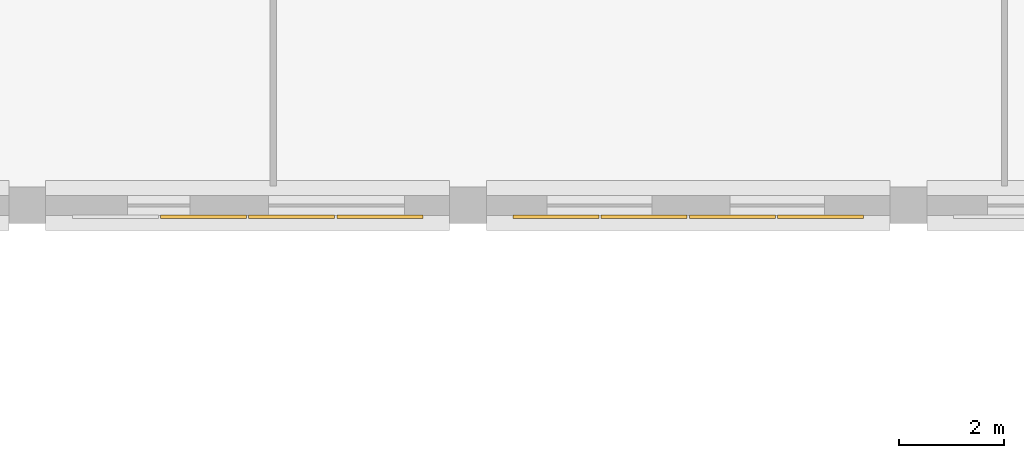
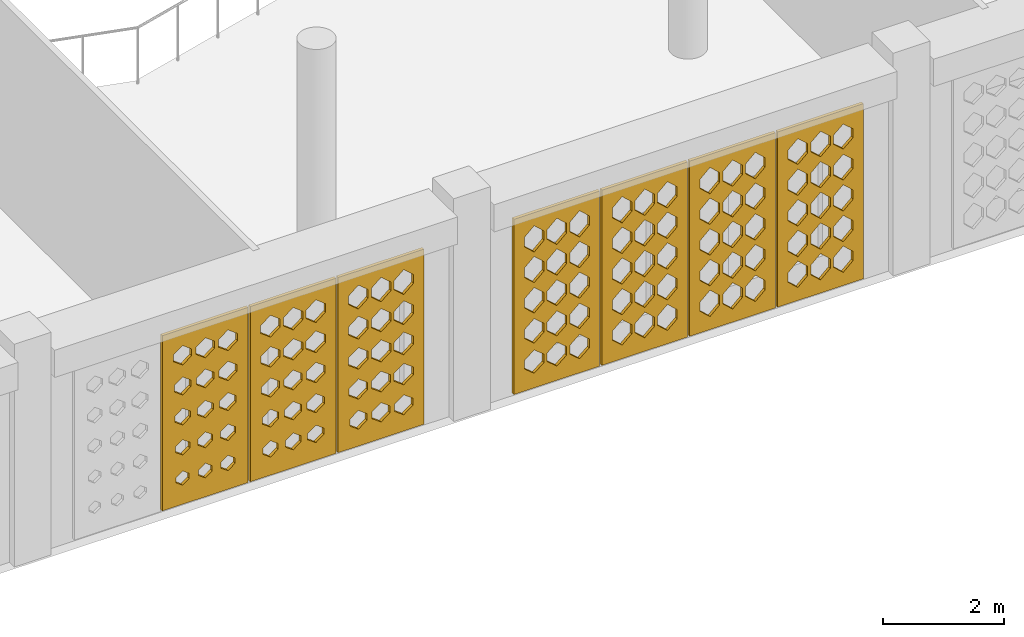
# One storey, part 35 of 47: 7 coverings.
"""IFC4 building model written with IfcOpenShell, lengths in metres."""

from ifc_helpers import new_model, si_unit, derived_unit, direction, frame, origin, place, context, subcontext, project, spatial, polyline, outline, extrude, material, layer, layer_set, type_object, element, save


model = new_model("IFC4")

# Units and contexts
model_context = context("Model", 3, precision=1e-05, world=origin(), true_north=direction((0.0, 1.0)))
body_context = subcontext(model_context, "Body", "Model", "MODEL_VIEW")
ifc_project = project(units=[si_unit("LENGTHUNIT", "METRE"), si_unit("AREAUNIT", "SQUARE_METRE"), si_unit("VOLUMEUNIT", "CUBIC_METRE"), si_unit("PLANEANGLEUNIT", "RADIAN"), si_unit("MASSUNIT", "GRAM", prefix="KILO"), derived_unit("THERMALTRANSMITTANCEUNIT", [(si_unit("POWERUNIT", "WATT"), 1), (si_unit("LENGTHUNIT", "METRE"), -2), (si_unit("THERMODYNAMICTEMPERATUREUNIT", "KELVIN"), -1)])], contexts=[model_context])

# Site, building, storey
site_placement = place(None, origin())
site = spatial("IfcSite", under=ifc_project, at=site_placement, CompositionType="ELEMENT")
building_placement = place(site_placement, origin())
building = spatial("IfcBuilding", under=site, at=building_placement, Name="Veybourne Emporium", CompositionType="ELEMENT")
storey_placement = place(building_placement, frame((0.0, 0.0, 23.39990234375)))
storey = spatial("IfcBuildingStorey", under=building, at=storey_placement, Name="L05", CompositionType="ELEMENT", Elevation=23.39990234375)

# Coverings
ifc_material = material(Name="Warm-White Perforated Aluminium Screen Alloy", Category="aluminium")
ifc_layer_1 = layer(ifc_material, 0.06005859375)
ifc_layer_set_1 = layer_set([ifc_layer_1], Name="Warm-White Perforated Aluminium Screen Alloy")
covering_type_1 = type_object("IfcCoveringType", Name="WaveScreen_SCR-01", PredefinedType="CLADDING", material=ifc_layer_set_1)
covering_1_placement = place(storey_placement, frame((72.239990234375, 28.552001953125, 1.830078125), z_axis=(0.0, 1.0, 0.0), x_axis=(-1.0, 0.0, 0.0)))
element("IfcCovering", 1, at=covering_1_placement, inside=storey, type_object=covering_type_1, Name="L05 wave-perforated aluminium screen SCR-01 (41.2)", PredefinedType="CLADDING", context=body_context, shape_type="SweptSolid", body=[
    extrude(outline(polyline([(-0.81982421875, -1.77001953125), (0.81982421875, -1.77001953125), (0.81982421875, 1.77001953125), (-0.81982421875, 1.77001953125), (-0.81982421875, -1.77001953125)]), holes=[polyline([(-0.433349609375, -1.06298828125), (-0.278564453125, -1.17626953125), (-0.278564453125, -1.3037109375), (-0.433349609375, -1.4169921875), (-0.588134765625, -1.3037109375), (-0.588134765625, -1.17626953125), (-0.433349609375, -1.06298828125)]), polyline([(-0.433349609375, -0.4287109375), (-0.266845703125, -0.55126953125), (-0.266845703125, -0.688720703125), (-0.433349609375, -0.811279296875), (-0.599853515625, -0.688720703125), (-0.599853515625, -0.55126953125), (-0.433349609375, -0.4287109375)]), polyline([(-0.433349609375, 0.205322265625), (-0.255126953125, 0.073974609375), (-0.255126953125, -0.073974609375), (-0.433349609375, -0.205322265625), (-0.611328125, -0.073974609375), (-0.611328125, 0.073974609375), (-0.433349609375, 0.205322265625)]), polyline([(-0.433349609375, 0.83935546875), (-0.2470703125, 0.698974609375), (-0.2470703125, 0.541015625), (-0.433349609375, 0.400634765625), (-0.61962890625, 0.541015625), (-0.61962890625, 0.698974609375), (-0.433349609375, 0.83935546875)]), polyline([(-0.433349609375, 1.472412109375), (-0.2470703125, 1.32373046875), (-0.2470703125, 1.15625), (-0.433349609375, 1.007568359375), (-0.61962890625, 1.15625), (-0.61962890625, 1.32373046875), (-0.433349609375, 1.472412109375)]), polyline([(0.0, -1.0693359375), (0.149658203125, -1.1787109375), (0.149658203125, -1.301513671875), (0.0, -1.41064453125), (-0.149658203125, -1.301513671875), (-0.149658203125, -1.1787109375), (0.0, -1.0693359375)]), polyline([(0.0, -0.435302734375), (0.1611328125, -0.553466796875), (0.1611328125, -0.6865234375), (0.0, -0.8046875), (-0.1611328125, -0.6865234375), (-0.1611328125, -0.553466796875), (0.0, -0.435302734375)]), polyline([(0.0, 0.19921875), (0.1728515625, 0.07177734375), (0.1728515625, -0.07177734375), (0.0, -0.19921875), (-0.1728515625, -0.07177734375), (-0.1728515625, 0.07177734375), (0.0, 0.19921875)]), polyline([(0.0, 0.833251953125), (0.184326171875, 0.69677734375), (0.184326171875, 0.543212890625), (0.0, 0.40673828125), (-0.184326171875, 0.543212890625), (-0.184326171875, 0.69677734375), (0.0, 0.833251953125)]), polyline([(0.0, 1.466796875), (0.186279296875, 1.321533203125), (0.186279296875, 1.158447265625), (0.0, 1.01318359375), (-0.186279296875, 1.158447265625), (-0.186279296875, 1.321533203125), (0.0, 1.466796875)]), polyline([(0.433349609375, -1.075439453125), (0.577880859375, -1.180908203125), (0.577880859375, -1.29931640625), (0.433349609375, -1.404541015625), (0.288818359375, -1.29931640625), (0.288818359375, -1.180908203125), (0.433349609375, -1.075439453125)]), polyline([(0.433349609375, -0.441650390625), (0.58935546875, -0.555908203125), (0.58935546875, -0.68408203125), (0.433349609375, -0.79833984375), (0.27734375, -0.68408203125), (0.27734375, -0.555908203125), (0.433349609375, -0.441650390625)]), polyline([(0.433349609375, 0.192626953125), (0.600830078125, 0.0693359375), (0.600830078125, -0.0693359375), (0.433349609375, -0.192626953125), (0.265625, -0.0693359375), (0.265625, 0.0693359375), (0.433349609375, 0.192626953125)]), polyline([(0.433349609375, 0.826904296875), (0.612548828125, 0.694580078125), (0.612548828125, 0.54541015625), (0.433349609375, 0.4130859375), (0.254150390625, 0.54541015625), (0.254150390625, 0.694580078125), (0.433349609375, 0.826904296875)]), polyline([(0.433349609375, 1.460693359375), (0.61962890625, 1.319580078125), (0.61962890625, 1.160400390625), (0.433349609375, 1.019287109375), (0.2470703125, 1.160400390625), (0.2470703125, 1.319580078125), (0.433349609375, 1.460693359375)])]), origin(), (0.0, 0.0, 1.0), 0.06005859375),
])
covering_2_placement = place(storey_placement, frame((77.280029296875, 28.552001953125, 1.830078125), z_axis=(0.0, 1.0, 0.0), x_axis=(-1.0, 0.0, 0.0)))
element("IfcCovering", 2, at=covering_2_placement, inside=storey, type_object=covering_type_1, Name="L05 wave-perforated aluminium screen SCR-01 (43.4)", PredefinedType="CLADDING", context=body_context, shape_type="SweptSolid", body=[
    extrude(outline(polyline([(-0.81982421875, -1.77001953125), (0.81982421875, -1.77001953125), (0.81982421875, 1.77001953125), (-0.81982421875, 1.77001953125), (-0.81982421875, -1.77001953125)]), holes=[polyline([(-0.433349609375, -0.9931640625), (-0.2470703125, -1.151123046875), (-0.2470703125, -1.328857421875), (-0.433349609375, -1.48681640625), (-0.61962890625, -1.328857421875), (-0.61962890625, -1.151123046875), (-0.433349609375, -0.9931640625)]), polyline([(-0.433349609375, -0.36328125), (-0.2470703125, -0.527587890625), (-0.2470703125, -0.71240234375), (-0.433349609375, -0.876708984375), (-0.61962890625, -0.71240234375), (-0.61962890625, -0.527587890625), (-0.433349609375, -0.36328125)]), polyline([(-0.433349609375, 0.2646484375), (-0.2470703125, 0.09521484375), (-0.2470703125, -0.09521484375), (-0.433349609375, -0.2646484375), (-0.61962890625, -0.09521484375), (-0.61962890625, 0.09521484375), (-0.433349609375, 0.2646484375)]), polyline([(-0.433349609375, 0.88671875), (-0.2470703125, 0.716064453125), (-0.2470703125, 0.52392578125), (-0.433349609375, 0.353515625), (-0.61962890625, 0.52392578125), (-0.61962890625, 0.716064453125), (-0.433349609375, 0.88671875)]), polyline([(-0.433349609375, 1.506591796875), (-0.2470703125, 1.3359375), (-0.2470703125, 1.14404296875), (-0.433349609375, 0.973388671875), (-0.61962890625, 1.14404296875), (-0.61962890625, 1.3359375), (-0.433349609375, 1.506591796875)]), polyline([(0.0, -0.998291015625), (0.186279296875, -1.153076171875), (0.186279296875, -1.326904296875), (0.0, -1.481689453125), (-0.186279296875, -1.326904296875), (-0.186279296875, -1.153076171875), (0.0, -0.998291015625)]), polyline([(0.0, -0.36767578125), (0.186279296875, -0.529052734375), (0.186279296875, -0.7109375), (0.0, -0.872314453125), (-0.186279296875, -0.7109375), (-0.186279296875, -0.529052734375), (0.0, -0.36767578125)]), polyline([(0.0, 0.26123046875), (0.186279296875, 0.093994140625), (0.186279296875, -0.093994140625), (0.0, -0.26123046875), (-0.186279296875, -0.093994140625), (-0.186279296875, 0.093994140625), (0.0, 0.26123046875)]), polyline([(0.0, 0.88671875), (0.186279296875, 0.716064453125), (0.186279296875, 0.52392578125), (0.0, 0.353515625), (-0.186279296875, 0.52392578125), (-0.186279296875, 0.716064453125), (0.0, 0.88671875)]), polyline([(0.0, 1.506591796875), (0.186279296875, 1.3359375), (0.186279296875, 1.14404296875), (0.0, 0.973388671875), (-0.186279296875, 1.14404296875), (-0.186279296875, 1.3359375), (0.0, 1.506591796875)]), polyline([(0.433349609375, -1.003662109375), (0.61962890625, -1.15478515625), (0.61962890625, -1.3251953125), (0.433349609375, -1.476318359375), (0.2470703125, -1.3251953125), (0.2470703125, -1.15478515625), (0.433349609375, -1.003662109375)]), polyline([(0.433349609375, -0.372314453125), (0.61962890625, -0.53076171875), (0.61962890625, -0.709228515625), (0.433349609375, -0.867919921875), (0.2470703125, -0.709228515625), (0.2470703125, -0.53076171875), (0.433349609375, -0.372314453125)]), polyline([(0.433349609375, 0.257568359375), (0.61962890625, 0.0927734375), (0.61962890625, -0.0927734375), (0.433349609375, -0.257568359375), (0.2470703125, -0.0927734375), (0.2470703125, 0.0927734375), (0.433349609375, 0.257568359375)]), polyline([(0.433349609375, 0.885498046875), (0.61962890625, 0.715576171875), (0.61962890625, 0.5244140625), (0.433349609375, 0.3544921875), (0.2470703125, 0.5244140625), (0.2470703125, 0.715576171875), (0.433349609375, 0.885498046875)]), polyline([(0.433349609375, 1.506591796875), (0.61962890625, 1.3359375), (0.61962890625, 1.14404296875), (0.433349609375, 0.973388671875), (0.2470703125, 1.14404296875), (0.2470703125, 1.3359375), (0.433349609375, 1.506591796875)])]), origin(), (0.0, 0.0, 1.0), 0.06005859375),
])
ifc_layer_2 = layer(ifc_material, 0.06005859375)
ifc_layer_set_2 = layer_set([ifc_layer_2], Name="Warm-White Perforated Aluminium Screen Alloy")
covering_type_2 = type_object("IfcCoveringType", Name="WaveScreen_SCR-02", PredefinedType="CLADDING", material=ifc_layer_set_2)
covering_3_placement = place(storey_placement, frame((70.56005859375, 28.552001953125, 1.830078125), z_axis=(0.0, 1.0, 0.0), x_axis=(-1.0, 0.0, 0.0)))
element("IfcCovering", 3, at=covering_3_placement, inside=storey, type_object=covering_type_2, Name="L05 wave-perforated aluminium screen SCR-02 (41.3)", PredefinedType="CLADDING", context=body_context, shape_type="SweptSolid", body=[
    extrude(outline(polyline([(-0.81982421875, -1.77001953125), (0.81982421875, -1.77001953125), (0.81982421875, 1.77001953125), (-0.81982421875, 1.77001953125), (-0.81982421875, -1.77001953125)]), holes=[polyline([(-0.433349609375, -1.08642578125), (-0.297607421875, -1.184814453125), (-0.297607421875, -1.29541015625), (-0.433349609375, -1.3935546875), (-0.56884765625, -1.29541015625), (-0.56884765625, -1.184814453125), (-0.433349609375, -1.08642578125)]), polyline([(-0.433349609375, -0.453369140625), (-0.287109375, -0.56005859375), (-0.287109375, -0.679931640625), (-0.433349609375, -0.78662109375), (-0.57958984375, -0.679931640625), (-0.57958984375, -0.56005859375), (-0.433349609375, -0.453369140625)]), polyline([(-0.433349609375, 0.1806640625), (-0.275634765625, 0.06494140625), (-0.275634765625, -0.06494140625), (-0.433349609375, -0.1806640625), (-0.591064453125, -0.06494140625), (-0.591064453125, 0.06494140625), (-0.433349609375, 0.1806640625)]), polyline([(-0.433349609375, 0.81494140625), (-0.263916015625, 0.690185546875), (-0.263916015625, 0.5498046875), (-0.433349609375, 0.425048828125), (-0.602783203125, 0.5498046875), (-0.602783203125, 0.690185546875), (-0.433349609375, 0.81494140625)]), polyline([(-0.433349609375, 1.44921875), (-0.252197265625, 1.315185546875), (-0.252197265625, 1.164794921875), (-0.433349609375, 1.031005859375), (-0.614501953125, 1.164794921875), (-0.614501953125, 1.315185546875), (-0.433349609375, 1.44921875)]), polyline([(0.0, -1.092041015625), (0.131103515625, -1.186767578125), (0.131103515625, -1.293212890625), (0.0, -1.387939453125), (-0.131103515625, -1.293212890625), (-0.131103515625, -1.186767578125), (0.0, -1.092041015625)]), polyline([(0.0, -0.45947265625), (0.141357421875, -0.562255859375), (0.141357421875, -0.677734375), (0.0, -0.780517578125), (-0.141357421875, -0.677734375), (-0.141357421875, -0.562255859375), (0.0, -0.45947265625)]), polyline([(0.0, 0.17431640625), (0.152587890625, 0.062744140625), (0.152587890625, -0.062744140625), (0.0, -0.17431640625), (-0.152587890625, -0.062744140625), (-0.152587890625, 0.062744140625), (0.0, 0.17431640625)]), polyline([(0.0, 0.808349609375), (0.164306640625, 0.687744140625), (0.164306640625, 0.55224609375), (0.0, 0.431640625), (-0.164306640625, 0.55224609375), (-0.164306640625, 0.687744140625), (0.0, 0.808349609375)]), polyline([(0.0, 1.442626953125), (0.17578125, 1.31298828125), (0.17578125, 1.1669921875), (0.0, 1.037353515625), (-0.17578125, 1.1669921875), (-0.17578125, 1.31298828125), (0.0, 1.442626953125)]), polyline([(0.433349609375, -1.097412109375), (0.56005859375, -1.188720703125), (0.56005859375, -1.29150390625), (0.433349609375, -1.3828125), (0.306640625, -1.29150390625), (0.306640625, -1.188720703125), (0.433349609375, -1.097412109375)]), polyline([(0.433349609375, -0.465087890625), (0.570068359375, -0.564208984375), (0.570068359375, -0.67578125), (0.433349609375, -0.77490234375), (0.296630859375, -0.67578125), (0.296630859375, -0.564208984375), (0.433349609375, -0.465087890625)]), polyline([(0.433349609375, 0.168212890625), (0.580810546875, 0.060546875), (0.580810546875, -0.060546875), (0.433349609375, -0.168212890625), (0.285888671875, -0.060546875), (0.285888671875, 0.060546875), (0.433349609375, 0.168212890625)]), polyline([(0.433349609375, 0.802001953125), (0.59228515625, 0.685546875), (0.59228515625, 0.554443359375), (0.433349609375, 0.43798828125), (0.2744140625, 0.554443359375), (0.2744140625, 0.685546875), (0.433349609375, 0.802001953125)]), polyline([(0.433349609375, 1.436279296875), (0.60400390625, 1.310791015625), (0.60400390625, 1.169189453125), (0.433349609375, 1.043701171875), (0.2626953125, 1.169189453125), (0.2626953125, 1.310791015625), (0.433349609375, 1.436279296875)])]), origin(), (0.0, 0.0, 1.0), 0.06005859375),
])
covering_4_placement = place(storey_placement, frame((82.320068359375, 28.552001953125, 1.830078125), z_axis=(0.0, 1.0, 0.0), x_axis=(-1.0, 0.0, 0.0)))
element("IfcCovering", 4, at=covering_4_placement, inside=storey, type_object=covering_type_2, Name="L05 wave-perforated aluminium screen SCR-02 (43.1)", PredefinedType="CLADDING", context=body_context, shape_type="SweptSolid", body=[
    extrude(outline(polyline([(-0.81982421875, -1.77001953125), (0.81982421875, -1.77001953125), (0.81982421875, 1.77001953125), (-0.81982421875, 1.77001953125), (-0.81982421875, -1.77001953125)]), holes=[polyline([(-0.433349609375, -0.973388671875), (-0.2470703125, -1.14404296875), (-0.2470703125, -1.3359375), (-0.433349609375, -1.506591796875), (-0.61962890625, -1.3359375), (-0.61962890625, -1.14404296875), (-0.433349609375, -0.973388671875)]), polyline([(-0.433349609375, -0.353515625), (-0.2470703125, -0.52392578125), (-0.2470703125, -0.716064453125), (-0.433349609375, -0.88671875), (-0.61962890625, -0.716064453125), (-0.61962890625, -0.52392578125), (-0.433349609375, -0.353515625)]), polyline([(-0.433349609375, 0.2666015625), (-0.2470703125, 0.095947265625), (-0.2470703125, -0.095947265625), (-0.433349609375, -0.2666015625), (-0.61962890625, -0.095947265625), (-0.61962890625, 0.095947265625), (-0.433349609375, 0.2666015625)]), polyline([(-0.433349609375, 0.881591796875), (-0.2470703125, 0.714111328125), (-0.2470703125, 0.52587890625), (-0.433349609375, 0.3583984375), (-0.61962890625, 0.52587890625), (-0.61962890625, 0.714111328125), (-0.433349609375, 0.881591796875)]), polyline([(-0.433349609375, 1.492919921875), (-0.2470703125, 1.3310546875), (-0.2470703125, 1.14892578125), (-0.433349609375, 0.987060546875), (-0.61962890625, 1.14892578125), (-0.61962890625, 1.3310546875), (-0.433349609375, 1.492919921875)]), polyline([(0.0, -0.973388671875), (0.186279296875, -1.14404296875), (0.186279296875, -1.3359375), (0.0, -1.506591796875), (-0.186279296875, -1.3359375), (-0.186279296875, -1.14404296875), (0.0, -0.973388671875)]), polyline([(0.0, -0.353515625), (0.186279296875, -0.52392578125), (0.186279296875, -0.716064453125), (0.0, -0.88671875), (-0.186279296875, -0.716064453125), (-0.186279296875, -0.52392578125), (0.0, -0.353515625)]), polyline([(0.0, 0.2666015625), (0.186279296875, 0.095947265625), (0.186279296875, -0.095947265625), (0.0, -0.2666015625), (-0.186279296875, -0.095947265625), (-0.186279296875, 0.095947265625), (0.0, 0.2666015625)]), polyline([(0.0, 0.885009765625), (0.186279296875, 0.71533203125), (0.186279296875, 0.524658203125), (0.0, 0.35498046875), (-0.186279296875, 0.524658203125), (-0.186279296875, 0.71533203125), (0.0, 0.885009765625)]), polyline([(0.0, 1.4970703125), (0.186279296875, 1.33251953125), (0.186279296875, 1.1474609375), (0.0, 0.98291015625), (-0.186279296875, 1.1474609375), (-0.186279296875, 1.33251953125), (0.0, 1.4970703125)]), polyline([(0.433349609375, -0.973388671875), (0.61962890625, -1.14404296875), (0.61962890625, -1.3359375), (0.433349609375, -1.506591796875), (0.2470703125, -1.3359375), (0.2470703125, -1.14404296875), (0.433349609375, -0.973388671875)]), polyline([(0.433349609375, -0.353515625), (0.61962890625, -0.52392578125), (0.61962890625, -0.716064453125), (0.433349609375, -0.88671875), (0.2470703125, -0.716064453125), (0.2470703125, -0.52392578125), (0.433349609375, -0.353515625)]), polyline([(0.433349609375, 0.2666015625), (0.61962890625, 0.095947265625), (0.61962890625, -0.095947265625), (0.433349609375, -0.2666015625), (0.2470703125, -0.095947265625), (0.2470703125, 0.095947265625), (0.433349609375, 0.2666015625)]), polyline([(0.433349609375, 0.88671875), (0.61962890625, 0.716064453125), (0.61962890625, 0.52392578125), (0.433349609375, 0.353515625), (0.2470703125, 0.52392578125), (0.2470703125, 0.716064453125), (0.433349609375, 0.88671875)]), polyline([(0.433349609375, 1.5009765625), (0.61962890625, 1.333984375), (0.61962890625, 1.14599609375), (0.433349609375, 0.97900390625), (0.2470703125, 1.14599609375), (0.2470703125, 1.333984375), (0.433349609375, 1.5009765625)])]), origin(), (0.0, 0.0, 1.0), 0.06005859375),
])
ifc_layer_3 = layer(ifc_material, 0.06005859375)
ifc_layer_set_3 = layer_set([ifc_layer_3], Name="Warm-White Perforated Aluminium Screen Alloy")
covering_type_3 = type_object("IfcCoveringType", Name="WaveScreen_SCR-03", PredefinedType="CLADDING", material=ifc_layer_set_3)
covering_5_placement = place(storey_placement, frame((80.639892578125, 28.552001953125, 1.830078125), z_axis=(0.0, 1.0, 0.0), x_axis=(-1.0, 0.0, 0.0)))
element("IfcCovering", 5, at=covering_5_placement, inside=storey, type_object=covering_type_3, Name="L05 wave-perforated aluminium screen SCR-03 (43.2)", PredefinedType="CLADDING", context=body_context, shape_type="SweptSolid", body=[
    extrude(outline(polyline([(-0.81982421875, -1.77001953125), (0.81982421875, -1.77001953125), (0.81982421875, 1.77001953125), (-0.81982421875, 1.77001953125), (-0.81982421875, -1.77001953125)]), holes=[polyline([(-0.433349609375, -0.973388671875), (-0.2470703125, -1.14404296875), (-0.2470703125, -1.3359375), (-0.433349609375, -1.506591796875), (-0.61962890625, -1.3359375), (-0.61962890625, -1.14404296875), (-0.433349609375, -0.973388671875)]), polyline([(-0.433349609375, -0.353515625), (-0.2470703125, -0.52392578125), (-0.2470703125, -0.716064453125), (-0.433349609375, -0.88671875), (-0.61962890625, -0.716064453125), (-0.61962890625, -0.52392578125), (-0.433349609375, -0.353515625)]), polyline([(-0.433349609375, 0.2666015625), (-0.2470703125, 0.095947265625), (-0.2470703125, -0.095947265625), (-0.433349609375, -0.2666015625), (-0.61962890625, -0.095947265625), (-0.61962890625, 0.095947265625), (-0.433349609375, 0.2666015625)]), polyline([(-0.433349609375, 0.88671875), (-0.2470703125, 0.716064453125), (-0.2470703125, 0.52392578125), (-0.433349609375, 0.353515625), (-0.61962890625, 0.52392578125), (-0.61962890625, 0.716064453125), (-0.433349609375, 0.88671875)]), polyline([(-0.433349609375, 1.506591796875), (-0.2470703125, 1.3359375), (-0.2470703125, 1.14404296875), (-0.433349609375, 0.973388671875), (-0.61962890625, 1.14404296875), (-0.61962890625, 1.3359375), (-0.433349609375, 1.506591796875)]), polyline([(0.0, -0.973388671875), (0.186279296875, -1.14404296875), (0.186279296875, -1.3359375), (0.0, -1.506591796875), (-0.186279296875, -1.3359375), (-0.186279296875, -1.14404296875), (0.0, -0.973388671875)]), polyline([(0.0, -0.353515625), (0.186279296875, -0.52392578125), (0.186279296875, -0.716064453125), (0.0, -0.88671875), (-0.186279296875, -0.716064453125), (-0.186279296875, -0.52392578125), (0.0, -0.353515625)]), polyline([(0.0, 0.2666015625), (0.186279296875, 0.095947265625), (0.186279296875, -0.095947265625), (0.0, -0.2666015625), (-0.186279296875, -0.095947265625), (-0.186279296875, 0.095947265625), (0.0, 0.2666015625)]), polyline([(0.0, 0.88671875), (0.186279296875, 0.716064453125), (0.186279296875, 0.52392578125), (0.0, 0.353515625), (-0.186279296875, 0.52392578125), (-0.186279296875, 0.716064453125), (0.0, 0.88671875)]), polyline([(0.0, 1.506591796875), (0.186279296875, 1.3359375), (0.186279296875, 1.14404296875), (0.0, 0.973388671875), (-0.186279296875, 1.14404296875), (-0.186279296875, 1.3359375), (0.0, 1.506591796875)]), polyline([(0.433349609375, -0.973388671875), (0.61962890625, -1.14404296875), (0.61962890625, -1.3359375), (0.433349609375, -1.506591796875), (0.2470703125, -1.3359375), (0.2470703125, -1.14404296875), (0.433349609375, -0.973388671875)]), polyline([(0.433349609375, -0.353515625), (0.61962890625, -0.52392578125), (0.61962890625, -0.716064453125), (0.433349609375, -0.88671875), (0.2470703125, -0.716064453125), (0.2470703125, -0.52392578125), (0.433349609375, -0.353515625)]), polyline([(0.433349609375, 0.2666015625), (0.61962890625, 0.095947265625), (0.61962890625, -0.095947265625), (0.433349609375, -0.2666015625), (0.2470703125, -0.095947265625), (0.2470703125, 0.095947265625), (0.433349609375, 0.2666015625)]), polyline([(0.433349609375, 0.88671875), (0.61962890625, 0.716064453125), (0.61962890625, 0.52392578125), (0.433349609375, 0.353515625), (0.2470703125, 0.52392578125), (0.2470703125, 0.716064453125), (0.433349609375, 0.88671875)]), polyline([(0.433349609375, 1.506591796875), (0.61962890625, 1.3359375), (0.61962890625, 1.14404296875), (0.433349609375, 0.973388671875), (0.2470703125, 1.14404296875), (0.2470703125, 1.3359375), (0.433349609375, 1.506591796875)])]), origin(), (0.0, 0.0, 1.0), 0.06005859375),
])
ifc_layer_4 = layer(ifc_material, 0.06005859375)
ifc_layer_set_4 = layer_set([ifc_layer_4], Name="Warm-White Perforated Aluminium Screen Alloy")
covering_type_4 = type_object("IfcCoveringType", Name="WaveScreen_SCR-04", PredefinedType="CLADDING", material=ifc_layer_set_4)
covering_6_placement = place(storey_placement, frame((73.919921875, 28.552001953125, 1.830078125), z_axis=(0.0, 1.0, 0.0), x_axis=(-1.0, 0.0, 0.0)))
element("IfcCovering", 6, at=covering_6_placement, inside=storey, type_object=covering_type_4, Name="L05 wave-perforated aluminium screen SCR-04 (41.1)", PredefinedType="CLADDING", context=body_context, shape_type="SweptSolid", body=[
    extrude(outline(polyline([(-0.81982421875, -1.77001953125), (0.81982421875, -1.77001953125), (0.81982421875, 1.77001953125), (-0.81982421875, 1.77001953125), (-0.81982421875, -1.77001953125)]), holes=[polyline([(-0.433349609375, -1.0380859375), (-0.25830078125, -1.16748046875), (-0.25830078125, -1.3125), (-0.433349609375, -1.44189453125), (-0.6083984375, -1.3125), (-0.6083984375, -1.16748046875), (-0.433349609375, -1.0380859375)]), polyline([(-0.433349609375, -0.404296875), (-0.2470703125, -0.542236328125), (-0.2470703125, -0.69775390625), (-0.433349609375, -0.835693359375), (-0.61962890625, -0.69775390625), (-0.61962890625, -0.542236328125), (-0.433349609375, -0.404296875)]), polyline([(-0.433349609375, 0.22900390625), (-0.2470703125, 0.08251953125), (-0.2470703125, -0.08251953125), (-0.433349609375, -0.22900390625), (-0.61962890625, -0.08251953125), (-0.61962890625, 0.08251953125), (-0.433349609375, 0.22900390625)]), polyline([(-0.433349609375, 0.861328125), (-0.2470703125, 0.706787109375), (-0.2470703125, 0.533203125), (-0.433349609375, 0.378662109375), (-0.61962890625, 0.533203125), (-0.61962890625, 0.706787109375), (-0.433349609375, 0.861328125)]), polyline([(-0.433349609375, 1.4921875), (-0.2470703125, 1.330810546875), (-0.2470703125, 1.149169921875), (-0.433349609375, 0.98779296875), (-0.61962890625, 1.149169921875), (-0.61962890625, 1.330810546875), (-0.433349609375, 1.4921875)]), polyline([(0.0, -1.044677734375), (0.169921875, -1.169677734375), (0.169921875, -1.310302734375), (0.0, -1.435302734375), (-0.169921875, -1.310302734375), (-0.169921875, -1.169677734375), (0.0, -1.044677734375)]), polyline([(0.0, -0.410400390625), (0.181396484375, -0.544677734375), (0.181396484375, -0.6953125), (0.0, -0.82958984375), (-0.181396484375, -0.6953125), (-0.181396484375, -0.544677734375), (0.0, -0.410400390625)]), polyline([(0.0, 0.223388671875), (0.186279296875, 0.080322265625), (0.186279296875, -0.080322265625), (0.0, -0.223388671875), (-0.186279296875, -0.080322265625), (-0.186279296875, 0.080322265625), (0.0, 0.223388671875)]), polyline([(0.0, 0.85595703125), (0.186279296875, 0.705078125), (0.186279296875, 0.534912109375), (0.0, 0.384033203125), (-0.186279296875, 0.534912109375), (-0.186279296875, 0.705078125), (0.0, 0.85595703125)]), polyline([(0.0, 1.487548828125), (0.186279296875, 1.3291015625), (0.186279296875, 1.15087890625), (0.0, 0.992431640625), (-0.186279296875, 1.15087890625), (-0.186279296875, 1.3291015625), (0.0, 1.487548828125)]), polyline([(0.433349609375, -1.051025390625), (0.597900390625, -1.172119140625), (0.597900390625, -1.30810546875), (0.433349609375, -1.428955078125), (0.268798828125, -1.30810546875), (0.268798828125, -1.172119140625), (0.433349609375, -1.051025390625)]), polyline([(0.433349609375, -0.416748046875), (0.609619140625, -0.546875), (0.609619140625, -0.693115234375), (0.433349609375, -0.8232421875), (0.257080078125, -0.693115234375), (0.257080078125, -0.546875), (0.433349609375, -0.416748046875)]), polyline([(0.433349609375, 0.21728515625), (0.61962890625, 0.078125), (0.61962890625, -0.078125), (0.433349609375, -0.21728515625), (0.2470703125, -0.078125), (0.2470703125, 0.078125), (0.433349609375, 0.21728515625)]), polyline([(0.433349609375, 0.850341796875), (0.61962890625, 0.702880859375), (0.61962890625, 0.537109375), (0.433349609375, 0.3896484375), (0.2470703125, 0.537109375), (0.2470703125, 0.702880859375), (0.433349609375, 0.850341796875)]), polyline([(0.433349609375, 1.482421875), (0.61962890625, 1.327392578125), (0.61962890625, 1.152587890625), (0.433349609375, 0.99755859375), (0.2470703125, 1.152587890625), (0.2470703125, 1.327392578125), (0.433349609375, 1.482421875)])]), origin(), (0.0, 0.0, 1.0), 0.06005859375),
])
covering_7_placement = place(storey_placement, frame((78.9599609375, 28.552001953125, 1.830078125), z_axis=(0.0, 1.0, 0.0), x_axis=(-1.0, 0.0, 0.0)))
element("IfcCovering", 7, at=covering_7_placement, inside=storey, type_object=covering_type_4, Name="L05 wave-perforated aluminium screen SCR-04 (43.3)", PredefinedType="CLADDING", context=body_context, shape_type="SweptSolid", body=[
    extrude(outline(polyline([(-0.81982421875, -1.77001953125), (0.81982421875, -1.77001953125), (0.81982421875, 1.77001953125), (-0.81982421875, 1.77001953125), (-0.81982421875, -1.77001953125)]), holes=[polyline([(-0.433349609375, -0.977294921875), (-0.2470703125, -1.1455078125), (-0.2470703125, -1.334716796875), (-0.433349609375, -1.502685546875), (-0.61962890625, -1.334716796875), (-0.61962890625, -1.1455078125), (-0.433349609375, -0.977294921875)]), polyline([(-0.433349609375, -0.353515625), (-0.2470703125, -0.52392578125), (-0.2470703125, -0.716064453125), (-0.433349609375, -0.88671875), (-0.61962890625, -0.716064453125), (-0.61962890625, -0.52392578125), (-0.433349609375, -0.353515625)]), polyline([(-0.433349609375, 0.2666015625), (-0.2470703125, 0.095947265625), (-0.2470703125, -0.095947265625), (-0.433349609375, -0.2666015625), (-0.61962890625, -0.095947265625), (-0.61962890625, 0.095947265625), (-0.433349609375, 0.2666015625)]), polyline([(-0.433349609375, 0.88671875), (-0.2470703125, 0.716064453125), (-0.2470703125, 0.52392578125), (-0.433349609375, 0.353515625), (-0.61962890625, 0.52392578125), (-0.61962890625, 0.716064453125), (-0.433349609375, 0.88671875)]), polyline([(-0.433349609375, 1.506591796875), (-0.2470703125, 1.3359375), (-0.2470703125, 1.14404296875), (-0.433349609375, 0.973388671875), (-0.61962890625, 1.14404296875), (-0.61962890625, 1.3359375), (-0.433349609375, 1.506591796875)]), polyline([(0.0, -0.980712890625), (0.186279296875, -1.146728515625), (0.186279296875, -1.333251953125), (0.0, -1.499267578125), (-0.186279296875, -1.333251953125), (-0.186279296875, -1.146728515625), (0.0, -0.980712890625)]), polyline([(0.0, -0.353515625), (0.186279296875, -0.52392578125), (0.186279296875, -0.716064453125), (0.0, -0.88671875), (-0.186279296875, -0.716064453125), (-0.186279296875, -0.52392578125), (0.0, -0.353515625)]), polyline([(0.0, 0.2666015625), (0.186279296875, 0.095947265625), (0.186279296875, -0.095947265625), (0.0, -0.2666015625), (-0.186279296875, -0.095947265625), (-0.186279296875, 0.095947265625), (0.0, 0.2666015625)]), polyline([(0.0, 0.88671875), (0.186279296875, 0.716064453125), (0.186279296875, 0.52392578125), (0.0, 0.353515625), (-0.186279296875, 0.52392578125), (-0.186279296875, 0.716064453125), (0.0, 0.88671875)]), polyline([(0.0, 1.506591796875), (0.186279296875, 1.3359375), (0.186279296875, 1.14404296875), (0.0, 0.973388671875), (-0.186279296875, 1.14404296875), (-0.186279296875, 1.3359375), (0.0, 1.506591796875)]), polyline([(0.433349609375, -0.98486328125), (0.61962890625, -1.148193359375), (0.61962890625, -1.331787109375), (0.433349609375, -1.4951171875), (0.2470703125, -1.331787109375), (0.2470703125, -1.148193359375), (0.433349609375, -0.98486328125)]), polyline([(0.433349609375, -0.3564453125), (0.61962890625, -0.525146484375), (0.61962890625, -0.71484375), (0.433349609375, -0.883544921875), (0.2470703125, -0.71484375), (0.2470703125, -0.525146484375), (0.433349609375, -0.3564453125)]), polyline([(0.433349609375, 0.2666015625), (0.61962890625, 0.095947265625), (0.61962890625, -0.095947265625), (0.433349609375, -0.2666015625), (0.2470703125, -0.095947265625), (0.2470703125, 0.095947265625), (0.433349609375, 0.2666015625)]), polyline([(0.433349609375, 0.88671875), (0.61962890625, 0.716064453125), (0.61962890625, 0.52392578125), (0.433349609375, 0.353515625), (0.2470703125, 0.52392578125), (0.2470703125, 0.716064453125), (0.433349609375, 0.88671875)]), polyline([(0.433349609375, 1.506591796875), (0.61962890625, 1.3359375), (0.61962890625, 1.14404296875), (0.433349609375, 0.973388671875), (0.2470703125, 1.14404296875), (0.2470703125, 1.3359375), (0.433349609375, 1.506591796875)])]), origin(), (0.0, 0.0, 1.0), 0.06005859375),
])

save(model, "model.ifc")
